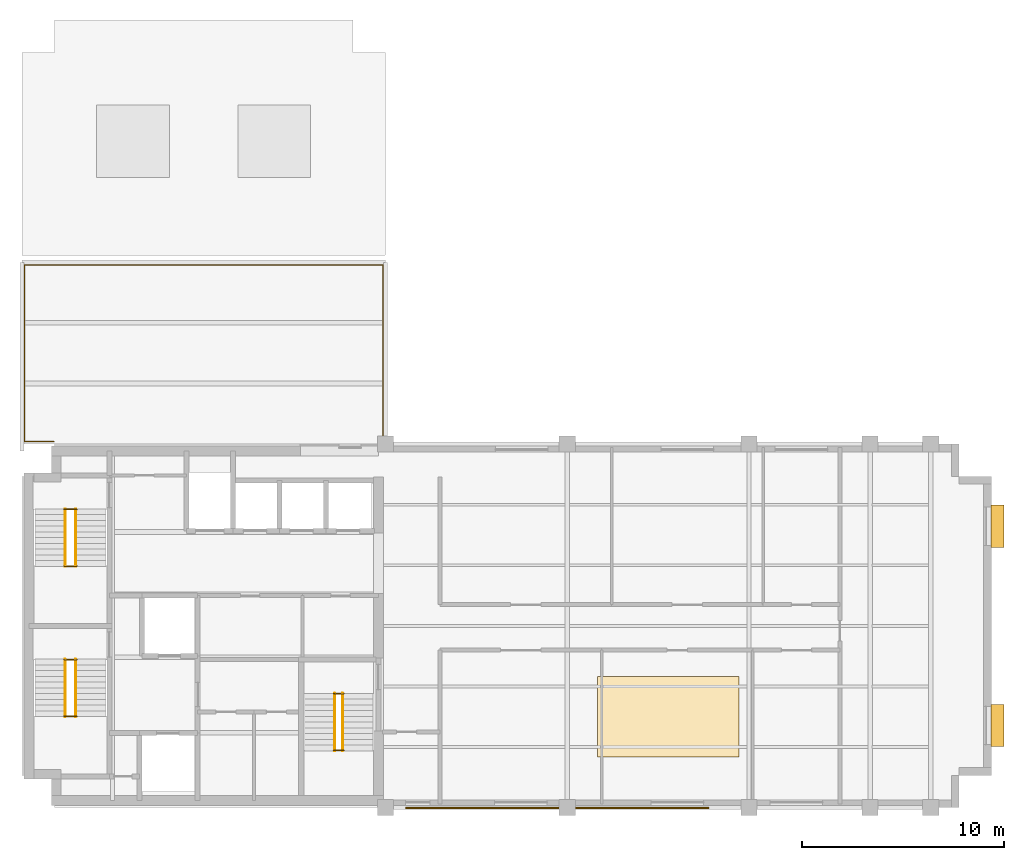
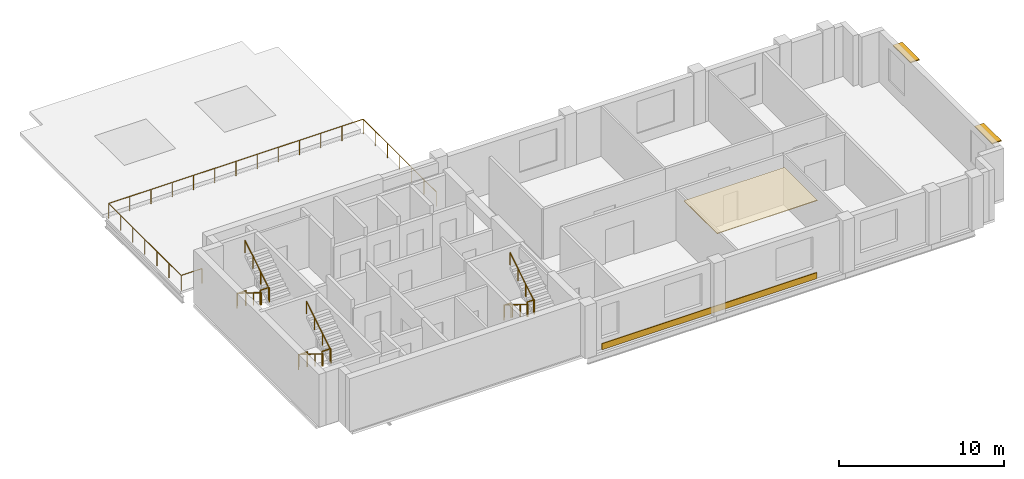
# One storey, part 5 of 5: 13 railings, 2 coverings, 2 shading devices.
"""IFC4 building model written with IfcOpenShell, lengths in metres."""

from ifc_helpers import new_model, si_unit, direction, frame, origin, origin_2d, place, context, subcontext, project, spatial, polyline, rectangle, circle, outline, extrude, material, layer, layer_set, type_object, element, save


model = new_model("IFC4")

# Units and contexts
model_context = context("Model", 3, precision=1e-05, world=origin(), true_north=direction((0.0, 1.0)))
body_context = subcontext(model_context, "Body", "Model", "MODEL_VIEW")
ifc_project = project(units=[si_unit("LENGTHUNIT", "METRE"), si_unit("AREAUNIT", "SQUARE_METRE"), si_unit("VOLUMEUNIT", "CUBIC_METRE"), si_unit("PLANEANGLEUNIT", "RADIAN"), si_unit("MASSUNIT", "GRAM", prefix="KILO")], contexts=[model_context])

# Site, building, storey
site_placement = place(None, origin())
site = spatial("IfcSite", under=ifc_project, at=site_placement, CompositionType="ELEMENT")
building_placement = place(site_placement, origin())
building = spatial("IfcBuilding", under=site, at=building_placement, Name="Mawjdan Bourse Tower", CompositionType="ELEMENT")
storey_placement = place(building_placement, frame((0.0, 0.0, 254.699951171875)))
storey = spatial("IfcBuildingStorey", under=building, at=storey_placement, Name="L62", CompositionType="ELEMENT", Elevation=254.699951171875)

# Coverings
ifc_material_1 = material(Name="Honed Qatari Limestone Coping", Category="masonry")
ifc_layer_1 = layer(ifc_material_1, 0.054931640625)
ifc_layer_set_1 = layer_set([ifc_layer_1], Name="Honed Qatari Limestone Coping")
covering_type_1 = type_object("IfcCoveringType", Name="COV-CLD-SPN", PredefinedType="CLADDING", material=ifc_layer_set_1)
covering_1_placement = place(storey_placement, origin())
element("IfcCovering", 1, at=covering_1_placement, inside=storey, type_object=covering_type_1, Name="L62 Limestone Spandrel Coping Trim", PredefinedType="CLADDING", context=body_context, shape_type="SweptSolid", body=[
    extrude(outline(polyline([(25.0, 2.949951171875), (40.0, 2.949951171875), (40.0, 3.010009765625), (25.0, 3.010009765625), (25.0, 2.949951171875)])), origin(), (0.0, 0.0, 1.0), 0.449951171875),
])
ifc_material_2 = material(Name="Perforated Mineral-Fibre Acoustic Ceiling")
ifc_layer_2 = layer(ifc_material_2, 0.044921875)
ifc_layer_set_2 = layer_set([ifc_layer_2], Name="Perforated Mineral-Fibre Acoustic Ceiling")
covering_type_2 = type_object("IfcCoveringType", Name="COV-CLG-AC", PredefinedType="CEILING", material=ifc_layer_set_2)
covering_2_placement = place(storey_placement, frame((0.0, 0.0, 3.670166015625)))
element("IfcCovering", 2, at=covering_2_placement, inside=storey, type_object=covering_type_2, Name="L62 Suspended Acoustic Ceiling", PredefinedType="CEILING", context=body_context, shape_type="SweptSolid", body=[
    extrude(outline(polyline([(34.5, 5.5), (41.5, 5.5), (41.5, 9.5), (34.5, 9.5), (34.5, 5.5)])), origin(), (0.0, 0.0, 1.0), 0.044921875),
])

# Railings
ifc_material_3 = material(Name="Structural Steel S355", Category="steel")
railing_type_1 = type_object("IfcRailingType", Name="RLG-GRD-1100", PredefinedType="GUARDRAIL", material=ifc_material_3)
railing_1_placement = place(storey_placement, frame((7.580078125, 21.1201171875, 0.0)))
element("IfcRailing", 3, at=railing_1_placement, inside=storey, type_object=railing_type_1, Name="L62 Sky Terrace Perimeter Guardrail", PredefinedType="GUARDRAIL", context=body_context, shape_type="SweptSolid", body=[
    extrude(circle(Radius=0.02490234375, at=origin_2d()), frame((0.0, 0.0, 1.0751953125), z_axis=(-1.0, 0.0, 0.0), x_axis=(0.0, -1.0, 0.0)), (0.0, 0.0, 1.0), 1.4599609375),
    extrude(circle(Radius=0.02490234375, at=origin_2d()), frame((-1.4599609375, 0.0, 1.0751953125), z_axis=(0.0, 1.0, 0.0), x_axis=(-1.0, 0.0, 0.0)), (0.0, 0.0, 1.0), 8.759765625),
    extrude(circle(Radius=0.02490234375, at=origin_2d()), frame((-1.4599609375, 8.759765625, 1.0751953125), z_axis=(1.0, 0.0, 0.0), x_axis=(0.0, 1.0, 0.0)), (0.0, 0.0, 1.0), 17.759765625),
    extrude(circle(Radius=0.02490234375, at=origin_2d()), frame((16.2998046875, 8.759765625, 1.0751953125), z_axis=(0.0, -1.0, 0.0), x_axis=(1.0, 0.0, 0.0)), (0.0, 0.0, 1.0), 8.829833984375),
    extrude(circle(Radius=0.02197265625, at=origin_2d()), origin(), (0.0, 0.0, 1.0), 1.050048828125),
    extrude(circle(Radius=0.02197265625, at=origin_2d()), frame((-1.4599609375, 0.0, 0.0)), (0.0, 0.0, 1.0), 1.050048828125),
    extrude(circle(Radius=0.02197265625, at=origin_2d()), frame((-1.4599609375, 1.4599609375, 0.0)), (0.0, 0.0, 1.0), 1.050048828125),
    extrude(circle(Radius=0.02197265625, at=origin_2d()), frame((-1.4599609375, 2.919921875, 0.0)), (0.0, 0.0, 1.0), 1.050048828125),
    extrude(circle(Radius=0.02197265625, at=origin_2d()), frame((-1.4599609375, 4.3798828125, 0.0)), (0.0, 0.0, 1.0), 1.050048828125),
    extrude(circle(Radius=0.02197265625, at=origin_2d()), frame((-1.4599609375, 5.83984375, 0.0)), (0.0, 0.0, 1.0), 1.050048828125),
    extrude(circle(Radius=0.02197265625, at=origin_2d()), frame((-1.4599609375, 7.2998046875, 0.0)), (0.0, 0.0, 1.0), 1.050048828125),
    extrude(circle(Radius=0.02197265625, at=origin_2d()), frame((-1.4599609375, 8.759765625, 0.0)), (0.0, 0.0, 1.0), 1.050048828125),
    extrude(circle(Radius=0.02197265625, at=origin_2d()), frame((0.02001953125, 8.759765625, 0.0)), (0.0, 0.0, 1.0), 1.050048828125),
    extrude(circle(Radius=0.02197265625, at=origin_2d()), frame((1.5, 8.759765625, 0.0)), (0.0, 0.0, 1.0), 1.050048828125),
    extrude(circle(Radius=0.02197265625, at=origin_2d()), frame((2.97998046875, 8.759765625, 0.0)), (0.0, 0.0, 1.0), 1.050048828125),
    extrude(circle(Radius=0.02197265625, at=origin_2d()), frame((4.4599609375, 8.759765625, 0.0)), (0.0, 0.0, 1.0), 1.050048828125),
    extrude(circle(Radius=0.02197265625, at=origin_2d()), frame((5.93994140625, 8.759765625, 0.0)), (0.0, 0.0, 1.0), 1.050048828125),
    extrude(circle(Radius=0.02197265625, at=origin_2d()), frame((7.419921875, 8.759765625, 0.0)), (0.0, 0.0, 1.0), 1.050048828125),
    extrude(circle(Radius=0.02197265625, at=origin_2d()), frame((8.89990234375, 8.759765625, 0.0)), (0.0, 0.0, 1.0), 1.050048828125),
    extrude(circle(Radius=0.02197265625, at=origin_2d()), frame((10.3798828125, 8.759765625, 0.0)), (0.0, 0.0, 1.0), 1.050048828125),
    extrude(circle(Radius=0.02197265625, at=origin_2d()), frame((11.85986328125, 8.759765625, 0.0)), (0.0, 0.0, 1.0), 1.050048828125),
    extrude(circle(Radius=0.02197265625, at=origin_2d()), frame((13.33984375, 8.759765625, 0.0)), (0.0, 0.0, 1.0), 1.050048828125),
    extrude(circle(Radius=0.02197265625, at=origin_2d()), frame((14.81982421875, 8.759765625, 0.0)), (0.0, 0.0, 1.0), 1.050048828125),
    extrude(circle(Radius=0.02197265625, at=origin_2d()), frame((16.2998046875, 8.759765625, 0.0)), (0.0, 0.0, 1.0), 1.050048828125),
    extrude(circle(Radius=0.02197265625, at=origin_2d()), frame((16.2998046875, 7.2880859375, 0.0)), (0.0, 0.0, 1.0), 1.050048828125),
    extrude(circle(Radius=0.02197265625, at=origin_2d()), frame((16.2998046875, 5.81640625, 0.0)), (0.0, 0.0, 1.0), 1.050048828125),
    extrude(circle(Radius=0.02197265625, at=origin_2d()), frame((16.2998046875, 4.3447265625, 0.0)), (0.0, 0.0, 1.0), 1.050048828125),
    extrude(circle(Radius=0.02197265625, at=origin_2d()), frame((16.2998046875, 2.873291015625, 0.0)), (0.0, 0.0, 1.0), 1.050048828125),
    extrude(circle(Radius=0.02197265625, at=origin_2d()), frame((16.2998046875, 1.401611328125, 0.0)), (0.0, 0.0, 1.0), 1.050048828125),
    extrude(circle(Radius=0.02197265625, at=origin_2d()), frame((16.2998046875, -0.070068359375, 0.0)), (0.0, 0.0, 1.0), 1.050048828125),
])
for number, where, name in (
    (4, (8.090087890625, 7.52001953125, 1.949951171875), "L62 ST1 Landing Guardrail GL-MID"),
    (5, (8.090087890625, 10.330078125, 0.0), "L62 ST1 Landing Guardrail GL-BOT"),
    (6, (8.090087890625, 14.9599609375, 1.949951171875), "L62 ST2 Landing Guardrail GL-MID"),
    (7, (8.090087890625, 17.77001953125, 0.0), "L62 ST2 Landing Guardrail GL-BOT"),
):
    element("IfcRailing", number, at=place(storey_placement, frame(where)), inside=storey, type_object=railing_type_1, Name=name, PredefinedType="GUARDRAIL", context=body_context, shape_type="SweptSolid", body=[
        extrude(circle(Radius=0.02490234375, at=origin_2d()), frame((0.0, 0.0, 1.0751953125), z_axis=(1.0, 0.0, 0.0), x_axis=(0.0, 1.0, 0.0)), (0.0, 0.0, 1.0), 0.619873046875),
        extrude(circle(Radius=0.02099609375, at=origin_2d()), origin(), (0.0, 0.0, 1.0), 1.050048828125),
        extrude(circle(Radius=0.02099609375, at=origin_2d()), frame((0.619873046875, 0.0, 0.0)), (0.0, 0.0, 1.0), 1.050048828125),
    ])
for number, where, name in (
    (8, (21.43994140625, 5.830078125, 1.949951171875), "L62 ST7 Landing Guardrail GL-MID"),
    (9, (21.43994140625, 8.639892578125, 0.0), "L62 ST7 Landing Guardrail GL-BOT"),
):
    element("IfcRailing", number, at=place(storey_placement, frame(where)), inside=storey, type_object=railing_type_1, Name=name, PredefinedType="GUARDRAIL", context=body_context, shape_type="SweptSolid", body=[
        extrude(circle(Radius=0.02490234375, at=origin_2d()), frame((0.0, 0.0, 1.0751953125), z_axis=(1.0, 0.0, 0.0), x_axis=(0.0, 1.0, 0.0)), (0.0, 0.0, 1.0), 0.489990234375),
        extrude(circle(Radius=0.02099609375, at=origin_2d()), origin(), (0.0, 0.0, 1.0), 1.050048828125),
        extrude(circle(Radius=0.02099609375, at=origin_2d()), frame((0.489990234375, 0.0, 0.0)), (0.0, 0.0, 1.0), 1.050048828125),
    ])
ifc_material_4 = material(Name="Brushed Stainless Steel", Category="steel")
railing_type_2 = type_object("IfcRailingType", Name="RLG-HND-920", PredefinedType="HANDRAIL", material=ifc_material_4)
railing_2_placement = place(storey_placement, frame((8.139892578125, 10.35009765625, 0.17724609375)))
element("IfcRailing", 10, at=railing_2_placement, inside=storey, type_object=railing_type_2, Name="L62 ST1 Flight Handrail HR1", PredefinedType="HANDRAIL", context=body_context, shape_type="SweptSolid", body=[
    extrude(circle(Radius=0.0224609375, at=origin_2d()), frame((0.0, 0.0, 0.8974609375), z_axis=(0.0, -0.849148672731, 0.528153890072), x_axis=(1.0, 0.0, 0.0)), (0.0, 0.0, 1.0), 3.3564453125),
    extrude(circle(Radius=0.01904296875, at=origin_2d()), origin(), (0.0, 0.0, 1.0), 0.875),
    extrude(circle(Radius=0.01904296875, at=origin_2d()), frame((0.0, -0.949951171875, 0.5908203125)), (0.0, 0.0, 1.0), 0.875),
    extrude(circle(Radius=0.01904296875, at=origin_2d()), frame((0.0, -1.900146484375, 1.181884765625)), (0.0, 0.0, 1.0), 0.875),
    extrude(circle(Radius=0.01904296875, at=origin_2d()), frame((0.0, -2.85009765625, 1.772705078125)), (0.0, 0.0, 1.0), 0.875),
])
railing_3_placement = place(storey_placement, frame((8.659912109375, 7.5, 2.12744140625)))
element("IfcRailing", 11, at=railing_3_placement, inside=storey, type_object=railing_type_2, Name="L62 ST1 Flight Handrail HR2", PredefinedType="HANDRAIL", context=body_context, shape_type="SweptSolid", body=[
    extrude(circle(Radius=0.0224609375, at=origin_2d()), frame((0.0, 0.0, 0.8974609375), z_axis=(0.0, 0.849148672731, 0.528153890072), x_axis=(-1.0, 0.0, 0.0)), (0.0, 0.0, 1.0), 3.3564453125),
    extrude(circle(Radius=0.01904296875, at=origin_2d()), origin(), (0.0, 0.0, 1.0), 0.875),
    extrude(circle(Radius=0.01904296875, at=origin_2d()), frame((0.0, 0.949951171875, 0.5908203125)), (0.0, 0.0, 1.0), 0.875),
    extrude(circle(Radius=0.01904296875, at=origin_2d()), frame((0.0, 1.900146484375, 1.181884765625)), (0.0, 0.0, 1.0), 0.875),
    extrude(circle(Radius=0.01904296875, at=origin_2d()), frame((0.0, 2.85009765625, 1.772705078125)), (0.0, 0.0, 1.0), 0.875),
])
railing_4_placement = place(storey_placement, frame((8.139892578125, 17.7900390625, 0.17724609375)))
element("IfcRailing", 12, at=railing_4_placement, inside=storey, type_object=railing_type_2, Name="L62 ST2 Flight Handrail HR1", PredefinedType="HANDRAIL", context=body_context, shape_type="SweptSolid", body=[
    extrude(circle(Radius=0.0224609375, at=origin_2d()), frame((0.0, 0.0, 0.8974609375), z_axis=(0.0, -0.849148672731, 0.528153890072), x_axis=(1.0, 0.0, 0.0)), (0.0, 0.0, 1.0), 3.3564453125),
    extrude(circle(Radius=0.01904296875, at=origin_2d()), origin(), (0.0, 0.0, 1.0), 0.875),
    extrude(circle(Radius=0.01904296875, at=origin_2d()), frame((0.0, -0.949951171875, 0.5908203125)), (0.0, 0.0, 1.0), 0.875),
    extrude(circle(Radius=0.01904296875, at=origin_2d()), frame((0.0, -1.900146484375, 1.181884765625)), (0.0, 0.0, 1.0), 0.875),
    extrude(circle(Radius=0.01904296875, at=origin_2d()), frame((0.0, -2.85009765625, 1.772705078125)), (0.0, 0.0, 1.0), 0.875),
])
railing_5_placement = place(storey_placement, frame((8.659912109375, 14.93994140625, 2.12744140625)))
element("IfcRailing", 13, at=railing_5_placement, inside=storey, type_object=railing_type_2, Name="L62 ST2 Flight Handrail HR2", PredefinedType="HANDRAIL", context=body_context, shape_type="SweptSolid", body=[
    extrude(circle(Radius=0.0224609375, at=origin_2d()), frame((0.0, 0.0, 0.8974609375), z_axis=(0.0, 0.849148672731, 0.528153890072), x_axis=(-1.0, 0.0, 0.0)), (0.0, 0.0, 1.0), 3.3564453125),
    extrude(circle(Radius=0.01904296875, at=origin_2d()), origin(), (0.0, 0.0, 1.0), 0.875),
    extrude(circle(Radius=0.01904296875, at=origin_2d()), frame((0.0, 0.949951171875, 0.5908203125)), (0.0, 0.0, 1.0), 0.875),
    extrude(circle(Radius=0.01904296875, at=origin_2d()), frame((0.0, 1.900146484375, 1.181884765625)), (0.0, 0.0, 1.0), 0.875),
    extrude(circle(Radius=0.01904296875, at=origin_2d()), frame((0.0, 2.85009765625, 1.772705078125)), (0.0, 0.0, 1.0), 0.875),
])
railing_6_placement = place(storey_placement, frame((21.489990234375, 8.659912109375, 0.17724609375)))
element("IfcRailing", 14, at=railing_6_placement, inside=storey, type_object=railing_type_2, Name="L62 ST7 Flight Handrail HR1", PredefinedType="HANDRAIL", context=body_context, shape_type="SweptSolid", body=[
    extrude(circle(Radius=0.0224609375, at=origin_2d()), frame((0.0, 0.0, 0.8974609375), z_axis=(0.0, -0.849128380713, 0.528186513523), x_axis=(1.0, 0.0, 0.0)), (0.0, 0.0, 1.0), 3.356201171875),
    extrude(circle(Radius=0.01904296875, at=origin_2d()), origin(), (0.0, 0.0, 1.0), 0.875),
    extrude(circle(Radius=0.01904296875, at=origin_2d()), frame((0.0, -0.949951171875, 0.5908203125)), (0.0, 0.0, 1.0), 0.875),
    extrude(circle(Radius=0.01904296875, at=origin_2d()), frame((0.0, -1.89990234375, 1.181884765625)), (0.0, 0.0, 1.0), 0.875),
    extrude(circle(Radius=0.01904296875, at=origin_2d()), frame((0.0, -2.849853515625, 1.772705078125)), (0.0, 0.0, 1.0), 0.875),
])
railing_7_placement = place(storey_placement, frame((21.8798828125, 5.81005859375, 2.12744140625)))
element("IfcRailing", 15, at=railing_7_placement, inside=storey, type_object=railing_type_2, Name="L62 ST7 Flight Handrail HR2", PredefinedType="HANDRAIL", context=body_context, shape_type="SweptSolid", body=[
    extrude(circle(Radius=0.0224609375, at=origin_2d()), frame((0.0, 0.0, 0.8974609375), z_axis=(0.0, 0.849128380713, 0.528186513523), x_axis=(-1.0, 0.0, 0.0)), (0.0, 0.0, 1.0), 3.356201171875),
    extrude(circle(Radius=0.01904296875, at=origin_2d()), origin(), (0.0, 0.0, 1.0), 0.875),
    extrude(circle(Radius=0.01904296875, at=origin_2d()), frame((0.0, 0.949951171875, 0.5908203125)), (0.0, 0.0, 1.0), 0.875),
    extrude(circle(Radius=0.01904296875, at=origin_2d()), frame((0.0, 1.89990234375, 1.181884765625)), (0.0, 0.0, 1.0), 0.875),
    extrude(circle(Radius=0.01904296875, at=origin_2d()), frame((0.0, 2.849853515625, 1.772705078125)), (0.0, 0.0, 1.0), 0.875),
])

# Shading devices
ifc_material_5 = material(Name="Bronze Anodised Aluminium", Category="aluminium")
ifc_layer_3 = layer(ifc_material_5, 0.074951171875)
ifc_layer_set_3 = layer_set([ifc_layer_3], Name="Bronze Anodised Aluminium")
shading_device_type = type_object("IfcShadingDeviceType", Name="SHD-SUN-650", PredefinedType="USERDEFINED", material=ifc_layer_set_3)
for number, where, z_axis, x_axis, name in (
    (16, (54.304931640625, 7.066650390625, 3.14990234375), (0.0, 0.0, 1.0), (0.0, 1.0, 0.0), "L62 Solar Window Hood 01"),
    (17, (54.304931640625, 16.933349609375, 3.14990234375), (0.0, 0.0, 1.0), (0.0, 1.0, 0.0), "L62 Solar Window Hood 02"),
):
    element("IfcShadingDevice", number, at=place(storey_placement, frame(where, z_axis=z_axis, x_axis=x_axis)), inside=storey, type_object=shading_device_type, Name=name, ObjectType="SUNSHADE", PredefinedType="USERDEFINED", context=body_context, shape_type="SweptSolid", body=[
        extrude(rectangle(XDim=2.10009765625, YDim=0.64990234375, at=origin_2d()), origin(), (0.0, 0.0, 1.0), 0.074951171875),
    ])

save(model, "model.ifc")
